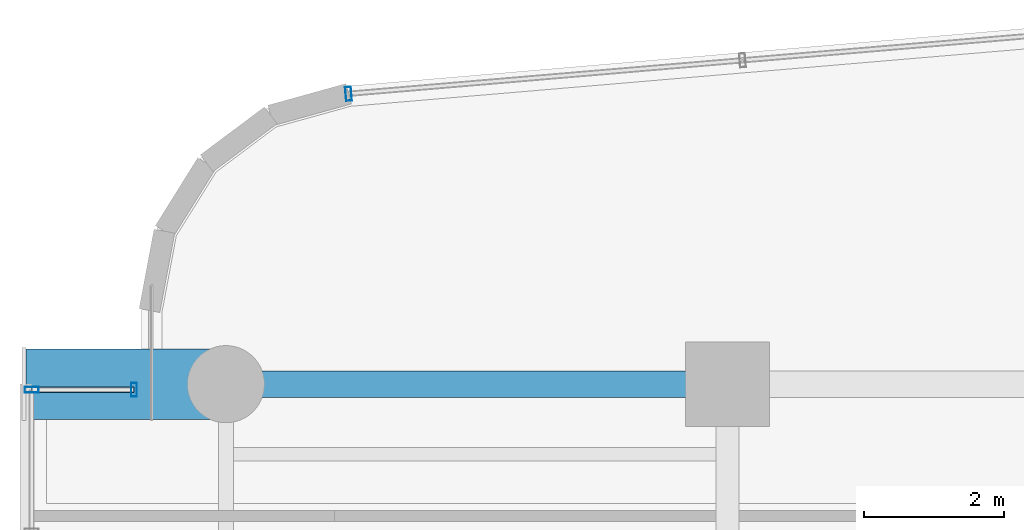
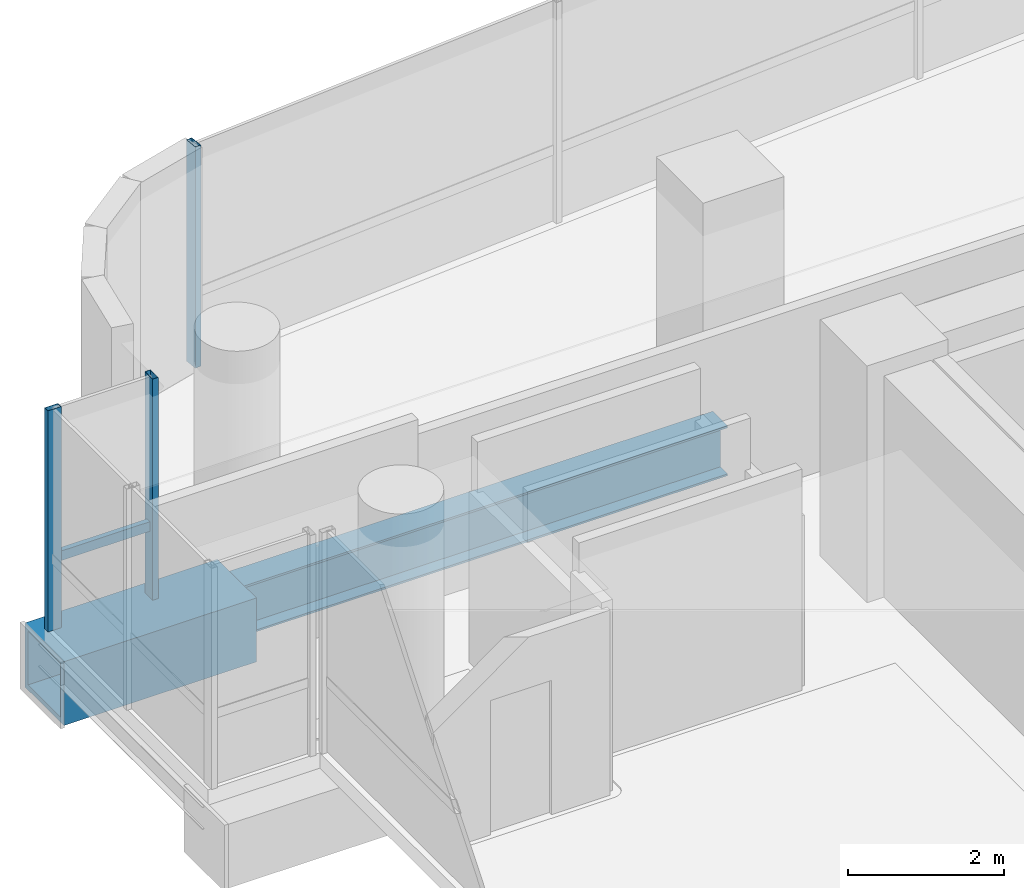
# One storey, part 19 of 35: 4 members, 2 beams, 3 elements without a shape of their own.
"""IFC4 building model written with IfcOpenShell, lengths in metres."""

from ifc_helpers import new_model, si_unit, direction, frame, origin, origin_2d, place, context, subcontext, project, spatial, hollow_rectangle, i_section, extrude, source, transform, mapped, material, material_profile, profile_set, type_object, element, aggregate, save


model = new_model("IFC4")

# Units and contexts
model_context = context("Model", 3, precision=1e-05, world=origin(), true_north=direction((0.0, 1.0)))
body_context = subcontext(model_context, "Body", "Model", "MODEL_VIEW")
ifc_project = project(units=[si_unit("LENGTHUNIT", "METRE"), si_unit("AREAUNIT", "SQUARE_METRE"), si_unit("VOLUMEUNIT", "CUBIC_METRE"), si_unit("PLANEANGLEUNIT", "RADIAN"), si_unit("MASSUNIT", "GRAM", prefix="KILO")], contexts=[model_context])

# Site, building, storey
site_placement = place(None, origin())
site = spatial("IfcSite", under=ifc_project, at=site_placement, CompositionType="ELEMENT")
building_placement = place(site_placement, origin())
building = spatial("IfcBuilding", under=site, at=building_placement, Name="Valdorenza Pilgrim Sanctuary Tower", CompositionType="ELEMENT")
storey_placement = place(building_placement, frame((0.0, 0.0, 124.199951171875)))
storey = spatial("IfcBuildingStorey", under=building, at=storey_placement, Name="L31", CompositionType="ELEMENT", Elevation=124.199951171875)

# Beams
ifc_material_1 = material(Name="Steel ASTM A992 Grade 50", Category="steel")
ifc_material_profile_1 = material_profile(ifc_material_1, i_section(OverallWidth=0.382080078125, OverallDepth=0.779052734375, WebThickness=0.01806640625, FlangeThickness=0.030029296875, at=origin_2d()), Name="W30X191")
ifc_profile_set_1 = profile_set([ifc_material_profile_1], Name="Steel ASTM A992 Grade 50")
beam_type_1 = type_object("IfcBeamType", Name="STR-BM-GRD-W30", PredefinedType="BEAM", material=ifc_profile_set_1)
shared_shape_1 = source(origin(), body_context, "Body", "SweptSolid", [
    extrude(i_section(OverallWidth=0.382080078125, OverallDepth=0.779052734375, WebThickness=0.01806640625, FlangeThickness=0.030029296875, at=origin_2d()), origin(), (0.0, 0.0, 1.0), 7.150146484375),
])
beam_1_placement = place(storey_placement, frame((-29.800048828125, 14.800048828125, -0.62939453125), z_axis=(1.0, 0.0, 0.0), x_axis=(0.0, 1.0, 0.0)))
element("IfcBeam", 1, at=beam_1_placement, inside=storey, type_object=beam_type_1, Name="L31 Floor Girder WA-XW-N2", PredefinedType="BEAM", context=body_context, shape_type="MappedRepresentation", body=[
    mapped(shared_shape_1, transform((0.0, 0.0, 0.0), x_axis=(1.0, 0.0, 0.0), y_axis=(0.0, 1.0, 0.0), z_axis=(0.0, 0.0, 1.0), scale=1.0)),
])
ifc_material_2 = material(Name="Steel ASTM A572 Grade 42", Category="steel")
ifc_material_profile_2 = material_profile(ifc_material_2, hollow_rectangle(XDim=1.0, YDim=1.0, WallThickness=0.080078125, at=origin_2d()), Name="BOX 1000x1000x80")
ifc_profile_set_2 = profile_set([ifc_material_profile_2], Name="Steel ASTM A572 Grade 42")
beam_type_2 = type_object("IfcBeamType", Name="STR-BM-PROW-CANT", PredefinedType="BEAM", material=ifc_profile_set_2)
shared_shape_2 = source(origin(), body_context, "Body", "SweptSolid", [
    extrude(hollow_rectangle(XDim=1.0, YDim=1.0, WallThickness=0.080078125, at=origin_2d()), origin(), (0.0, 0.0, 1.0), 2.849853515625),
])
beam_2_placement = place(storey_placement, frame((-29.800048828125, 14.800048828125, -0.739990234375), z_axis=(-1.0, 0.0, 0.0), x_axis=(0.0, -1.0, 0.0)))
element("IfcBeam", 2, at=beam_2_placement, inside=storey, type_object=beam_type_2, Name="L31 Glass Box Cantilever Beam BOX-WA-L31-CT-N", PredefinedType="BEAM", context=body_context, shape_type="MappedRepresentation", body=[
    mapped(shared_shape_2, transform((0.0, 0.0, 0.0), x_axis=(1.0, 0.0, 0.0), y_axis=(0.0, 1.0, 0.0), z_axis=(0.0, 0.0, 1.0), scale=1.0)),
])

# Curtain wall, member
ifc_material_3 = material(Name="Curtain-wall IGU glazing", Category="glass")
curtain_wall_type = type_object("IfcCurtainWallType", Name="CW-SYS-02", PredefinedType="NOTDEFINED", material=ifc_material_3)
curtain_wall_1_placement = place(storey_placement, origin())
curtain_wall_1 = element("IfcCurtainWall", 3, at=curtain_wall_1_placement, inside=storey, type_object=curtain_wall_type, Name="L31 Curtain Wall CW-L31-1-6", PredefinedType="NOTDEFINED")
ifc_material_4 = material(Name="Anodised aluminium AW-6060", Category="aluminium")
ifc_material_profile_3 = material_profile(ifc_material_4, hollow_rectangle(XDim=0.0849609375, YDim=0.199951171875, WallThickness=0.0048828125, at=origin_2d()), Name="ALU-M 200x85x5")
ifc_profile_set_3 = profile_set([ifc_material_profile_3], Name="Anodised aluminium AW-6060")
member_type_1 = type_object("IfcMemberType", Name="CW-MUL-02", PredefinedType="MULLION", material=ifc_profile_set_3)
shared_shape_3 = source(origin(), body_context, "Body", "SweptSolid", [
    extrude(hollow_rectangle(XDim=0.0849609375, YDim=0.199951171875, WallThickness=0.0048828125, at=origin_2d()), origin(), (0.0, 0.0, 1.0), 3.4599609375),
])
member_1_placement = place(storey_placement, frame((-28.051513671875, 18.940185546875, 0.0), z_axis=(0.0, 0.0, 1.0), x_axis=(0.99640764237, 0.084686541006, 0.0)))
member_1 = element("IfcMember", 4, at=member_1_placement, type_object=member_type_1, Name="CW-L31-1-6 Mullion 1", PredefinedType="MULLION", context=body_context, shape_type="MappedRepresentation", body=[
    mapped(shared_shape_3, transform((0.0, 0.0, 0.0), x_axis=(1.0, 0.0, 0.0), y_axis=(0.0, 1.0, 0.0), z_axis=(0.0, 0.0, 1.0), scale=1.0)),
])
aggregate(curtain_wall_1, [member_1])

curtain_wall_2_placement = place(storey_placement, origin())
curtain_wall_2 = element("IfcCurtainWall", 5, at=curtain_wall_2_placement, inside=storey, type_object=curtain_wall_type, Name="L31 Curtain Wall CW-L31-BOX-WA-L31-F", PredefinedType="NOTDEFINED")
member_2_placement = place(storey_placement, frame((-32.570068359375, 14.719970703125, 0.0), z_axis=(0.0, 0.0, 1.0), x_axis=(0.0, 1.0, 0.0)))
member_2 = element("IfcMember", 6, at=member_2_placement, type_object=member_type_1, Name="CW-L31-BOX-WA-L31-F Mullion 3", PredefinedType="MULLION", context=body_context, shape_type="MappedRepresentation", body=[
    mapped(shared_shape_3, transform((0.0, 0.0, 0.0), x_axis=(1.0, 0.0, 0.0), y_axis=(0.0, 1.0, 0.0), z_axis=(0.0, 0.0, 1.0), scale=1.0)),
])
aggregate(curtain_wall_2, [member_2])

# Curtain wall, members
curtain_wall_3_placement = place(storey_placement, origin())
curtain_wall_3 = element("IfcCurtainWall", 7, at=curtain_wall_3_placement, inside=storey, type_object=curtain_wall_type, Name="L31 Curtain Wall CW-L31-BOX-WA-L31-N", PredefinedType="NOTDEFINED")
member_3_placement = place(storey_placement, frame((-31.110107421875, 14.719970703125, 0.0), z_axis=(0.0, 0.0, 1.0), x_axis=(1.0, 0.0, 0.0)))
member_3 = element("IfcMember", 8, at=member_3_placement, type_object=member_type_1, Name="CW-L31-BOX-WA-L31-N Mullion 2", PredefinedType="MULLION", context=body_context, shape_type="MappedRepresentation", body=[
    mapped(shared_shape_3, transform((0.0, 0.0, 0.0), x_axis=(1.0, 0.0, 0.0), y_axis=(0.0, 1.0, 0.0), z_axis=(0.0, 0.0, 1.0), scale=1.0)),
])
ifc_material_profile_4 = material_profile(ifc_material_4, hollow_rectangle(XDim=0.074951171875, YDim=0.14990234375, WallThickness=0.00390625, at=origin_2d()), Name="ALU-T 150x75x4")
ifc_profile_set_4 = profile_set([ifc_material_profile_4], Name="Anodised aluminium AW-6060")
member_type_2 = type_object("IfcMemberType", Name="CW-TRN-02", PredefinedType="USERDEFINED", material=ifc_profile_set_4)
shared_shape_4 = source(origin(), body_context, "Body", "SweptSolid", [
    extrude(hollow_rectangle(XDim=0.074951171875, YDim=0.14990234375, WallThickness=0.00390625, at=origin_2d()), origin(), (0.0, 0.0, 1.0), 1.4599609375),
])
member_4_placement = place(storey_placement, frame((-32.570068359375, 14.719970703125, 1.1201171875), z_axis=(1.0, 0.0, 0.0), x_axis=(0.0, 1.0, 0.0)))
member_4 = element("IfcMember", 9, at=member_4_placement, type_object=member_type_2, Name="CW-L31-BOX-WA-L31-N Transom 1", ObjectType="TRANSOM", PredefinedType="USERDEFINED", context=body_context, shape_type="MappedRepresentation", body=[
    mapped(shared_shape_4, transform((0.0, 0.0, 0.0), x_axis=(1.0, 0.0, 0.0), y_axis=(0.0, 1.0, 0.0), z_axis=(0.0, 0.0, 1.0), scale=1.0)),
])
aggregate(curtain_wall_3, [member_3, member_4])

save(model, "model.ifc")
